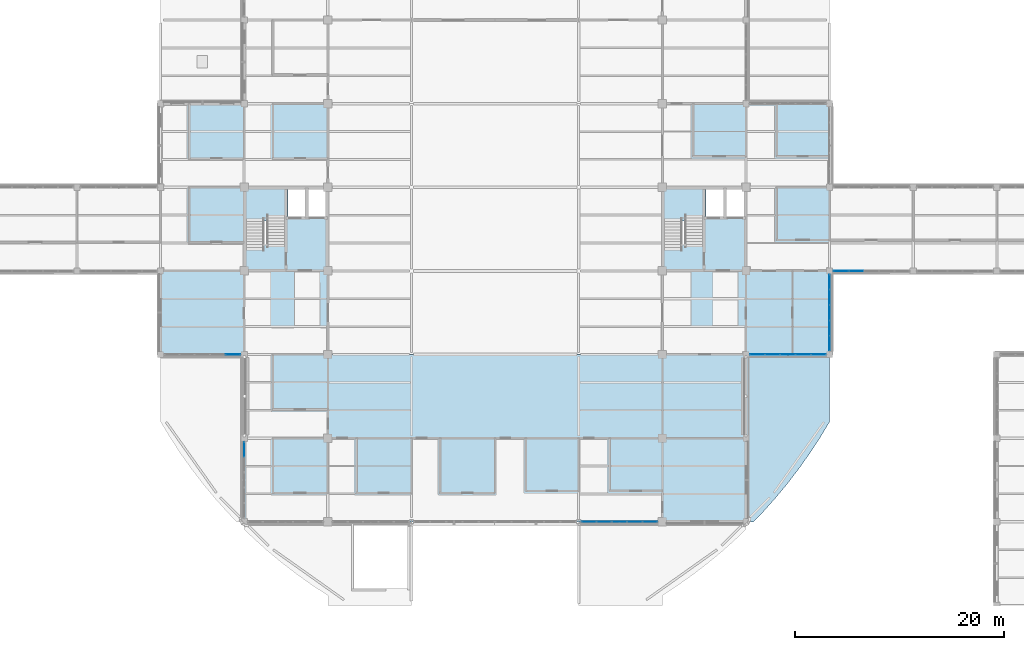
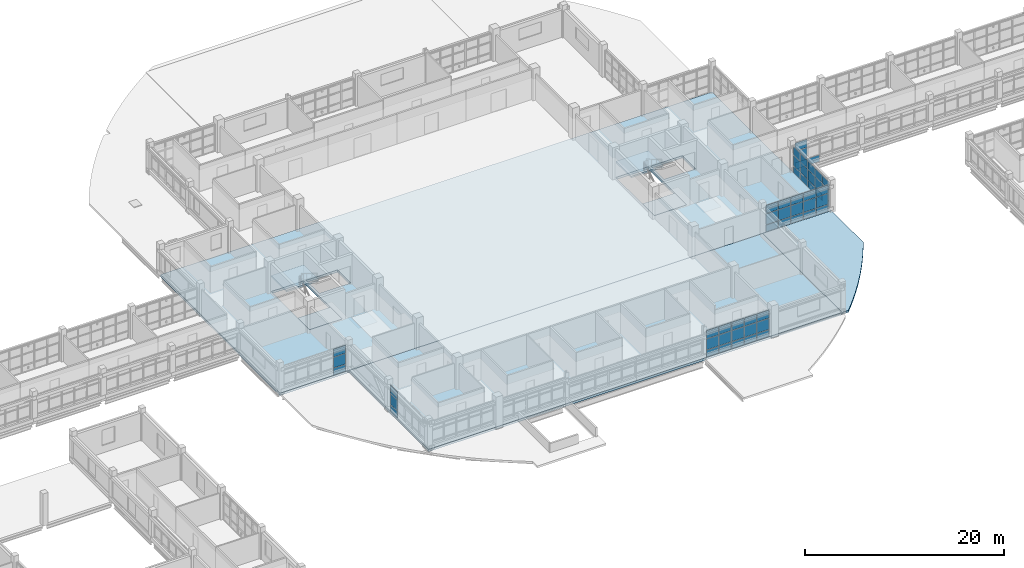
# One storey, part 71 of 126: 55 plates, 7 slabs, 8 elements without a shape of their own.
"""IFC4 building model written with IfcOpenShell, lengths in metres."""

from ifc_helpers import new_model, si_unit, derived_unit, direction, frame, origin, origin_2d, place, context, subcontext, project, spatial, polyline, rectangle, outline, extrude, material, layer, layer_set, type_object, element, aggregate, save


model = new_model("IFC4")

# Units and contexts
model_context = context("Model", 3, precision=1e-05, world=origin(), true_north=direction((0.0, 1.0)))
body_context = subcontext(model_context, "Body", "Model", "MODEL_VIEW")
ifc_project = project(units=[si_unit("LENGTHUNIT", "METRE"), si_unit("AREAUNIT", "SQUARE_METRE"), si_unit("VOLUMEUNIT", "CUBIC_METRE"), si_unit("PLANEANGLEUNIT", "RADIAN"), si_unit("MASSUNIT", "GRAM", prefix="KILO"), derived_unit("THERMALTRANSMITTANCEUNIT", [(si_unit("MASSUNIT", "GRAM", prefix="KILO"), 1), (si_unit("TIMEUNIT", "SECOND"), -3), (si_unit("THERMODYNAMICTEMPERATUREUNIT", "KELVIN"), -1)])], contexts=[model_context])

# Site, building, storey
site_placement = place(None, origin())
site = spatial("IfcSite", under=ifc_project, at=site_placement, CompositionType="ELEMENT")
building_placement = place(site_placement, origin())
building = spatial("IfcBuilding", under=site, at=building_placement, Name="Veyamyaing Civic Hall", CompositionType="ELEMENT")
storey_placement = place(building_placement, frame((0.0, 0.0, 9.89990234375)))
storey = spatial("IfcBuildingStorey", under=building, at=storey_placement, Name="L02", CompositionType="ELEMENT", Elevation=9.89990234375)

# Curtain wall, plates
ifc_material_1 = material(Name="Anodised aluminium 6063-T6", Category="aluminium")
ifc_layer_1 = layer(ifc_material_1, 0.159912109375, Name="Anodised aluminium 6063-T6")
ifc_layer_set_1 = layer_set([ifc_layer_1], Name="Anodised aluminium 6063-T6")
curtain_wall_type_1 = type_object("IfcCurtainWallType", Name="CW-03", PredefinedType="NOTDEFINED", material=ifc_layer_set_1)
curtain_wall_1_placement = place(storey_placement, origin())
curtain_wall_1 = element("IfcCurtainWall", 1, at=curtain_wall_1_placement, inside=storey, type_object=curtain_wall_type_1, Name="Unitized curtain wall CW-03 L02 S 13.4", PredefinedType="NOTDEFINED")
ifc_material_2 = material(Name="Low-E insulated glass", Category="glass")
ifc_layer_2 = layer(ifc_material_2, 0.028076171875, Name="Low-E insulated glass")
ifc_layer_set_2 = layer_set([ifc_layer_2], Name="Low-E insulated glass")
plate_type_1 = type_object("IfcPlateType", Name="CWP-01", PredefinedType="CURTAIN_PANEL", material=ifc_layer_set_2)
plate_1_placement = place(storey_placement, frame((96.96728515625, 24.0, 0.06494140625), z_axis=(0.0, 0.0, 1.0), x_axis=(1.0, 0.0, 0.0)))
plate_1 = element("IfcPlate", 2, at=plate_1_placement, type_object=plate_type_1, Name="CW-03 panel 1.1", PredefinedType="CURTAIN_PANEL", context=body_context, shape_type="SweptSolid", body=[
    extrude(rectangle(XDim=1.373291015625, YDim=0.028076171875, at=origin_2d()), origin(), (0.0, 0.0, 1.0), 0.802490234375),
])
plate_2_placement = place(storey_placement, frame((96.96728515625, 24.0, 0.9326171875), z_axis=(0.0, 0.0, 1.0), x_axis=(1.0, 0.0, 0.0)))
plate_2 = element("IfcPlate", 3, at=plate_2_placement, type_object=plate_type_1, Name="CW-03 panel 1.2", PredefinedType="CURTAIN_PANEL", context=body_context, shape_type="SweptSolid", body=[
    extrude(rectangle(XDim=1.373291015625, YDim=0.028076171875, at=origin_2d()), origin(), (0.0, 0.0, 1.0), 1.308837890625),
])
plate_3_placement = place(storey_placement, frame((96.96728515625, 24.0, 2.306396484375), z_axis=(0.0, 0.0, 1.0), x_axis=(1.0, 0.0, 0.0)))
plate_3 = element("IfcPlate", 4, at=plate_3_placement, type_object=plate_type_1, Name="CW-03 panel 1.3", PredefinedType="CURTAIN_PANEL", context=body_context, shape_type="SweptSolid", body=[
    extrude(rectangle(XDim=1.373291015625, YDim=0.028076171875, at=origin_2d()), origin(), (0.0, 0.0, 1.0), 0.97265625),
])
plate_4_placement = place(storey_placement, frame((98.421875, 24.0, 0.06494140625), z_axis=(0.0, 0.0, 1.0), x_axis=(1.0, 0.0, 0.0)))
plate_4 = element("IfcPlate", 5, at=plate_4_placement, type_object=plate_type_1, Name="CW-03 panel 2.1", PredefinedType="CURTAIN_PANEL", context=body_context, shape_type="SweptSolid", body=[
    extrude(rectangle(XDim=1.406005859375, YDim=0.028076171875, at=origin_2d()), origin(), (0.0, 0.0, 1.0), 0.802490234375),
])
plate_5_placement = place(storey_placement, frame((98.421875, 24.0, 0.9326171875), z_axis=(0.0, 0.0, 1.0), x_axis=(1.0, 0.0, 0.0)))
plate_5 = element("IfcPlate", 6, at=plate_5_placement, type_object=plate_type_1, Name="CW-03 panel 2.2", PredefinedType="CURTAIN_PANEL", context=body_context, shape_type="SweptSolid", body=[
    extrude(rectangle(XDim=1.406005859375, YDim=0.028076171875, at=origin_2d()), origin(), (0.0, 0.0, 1.0), 1.308837890625),
])
plate_6_placement = place(storey_placement, frame((98.421875, 24.0, 2.306396484375), z_axis=(0.0, 0.0, 1.0), x_axis=(1.0, 0.0, 0.0)))
plate_6 = element("IfcPlate", 7, at=plate_6_placement, type_object=plate_type_1, Name="CW-03 panel 2.3", PredefinedType="CURTAIN_PANEL", context=body_context, shape_type="SweptSolid", body=[
    extrude(rectangle(XDim=1.406005859375, YDim=0.028076171875, at=origin_2d()), origin(), (0.0, 0.0, 1.0), 0.97265625),
])
plate_7_placement = place(storey_placement, frame((99.892822265625, 24.0, 0.06494140625), z_axis=(0.0, 0.0, 1.0), x_axis=(1.0, 0.0, 0.0)))
plate_7 = element("IfcPlate", 8, at=plate_7_placement, type_object=plate_type_1, Name="CW-03 panel 3.1", PredefinedType="CURTAIN_PANEL", context=body_context, shape_type="SweptSolid", body=[
    extrude(rectangle(XDim=1.406005859375, YDim=0.028076171875, at=origin_2d()), origin(), (0.0, 0.0, 1.0), 0.802490234375),
])
plate_8_placement = place(storey_placement, frame((99.892822265625, 24.0, 0.9326171875), z_axis=(0.0, 0.0, 1.0), x_axis=(1.0, 0.0, 0.0)))
plate_8 = element("IfcPlate", 9, at=plate_8_placement, type_object=plate_type_1, Name="CW-03 panel 3.2", PredefinedType="CURTAIN_PANEL", context=body_context, shape_type="SweptSolid", body=[
    extrude(rectangle(XDim=1.406005859375, YDim=0.028076171875, at=origin_2d()), origin(), (0.0, 0.0, 1.0), 1.308837890625),
])
plate_9_placement = place(storey_placement, frame((99.892822265625, 24.0, 2.306396484375), z_axis=(0.0, 0.0, 1.0), x_axis=(1.0, 0.0, 0.0)))
plate_9 = element("IfcPlate", 10, at=plate_9_placement, type_object=plate_type_1, Name="CW-03 panel 3.3", PredefinedType="CURTAIN_PANEL", context=body_context, shape_type="SweptSolid", body=[
    extrude(rectangle(XDim=1.406005859375, YDim=0.028076171875, at=origin_2d()), origin(), (0.0, 0.0, 1.0), 0.97265625),
])
plate_10_placement = place(storey_placement, frame((101.36376953125, 24.0, 0.06494140625), z_axis=(0.0, 0.0, 1.0), x_axis=(1.0, 0.0, 0.0)))
plate_10 = element("IfcPlate", 11, at=plate_10_placement, type_object=plate_type_1, Name="CW-03 panel 4.1", PredefinedType="CURTAIN_PANEL", context=body_context, shape_type="SweptSolid", body=[
    extrude(rectangle(XDim=1.406005859375, YDim=0.028076171875, at=origin_2d()), origin(), (0.0, 0.0, 1.0), 0.802490234375),
])
plate_11_placement = place(storey_placement, frame((101.36376953125, 24.0, 0.9326171875), z_axis=(0.0, 0.0, 1.0), x_axis=(1.0, 0.0, 0.0)))
plate_11 = element("IfcPlate", 12, at=plate_11_placement, type_object=plate_type_1, Name="CW-03 panel 4.2", PredefinedType="CURTAIN_PANEL", context=body_context, shape_type="SweptSolid", body=[
    extrude(rectangle(XDim=1.406005859375, YDim=0.028076171875, at=origin_2d()), origin(), (0.0, 0.0, 1.0), 1.308837890625),
])
plate_12_placement = place(storey_placement, frame((101.36376953125, 24.0, 2.306396484375), z_axis=(0.0, 0.0, 1.0), x_axis=(1.0, 0.0, 0.0)))
plate_12 = element("IfcPlate", 13, at=plate_12_placement, type_object=plate_type_1, Name="CW-03 panel 4.3", PredefinedType="CURTAIN_PANEL", context=body_context, shape_type="SweptSolid", body=[
    extrude(rectangle(XDim=1.406005859375, YDim=0.028076171875, at=origin_2d()), origin(), (0.0, 0.0, 1.0), 0.97265625),
])
plate_13_placement = place(storey_placement, frame((102.818359375, 24.0, 0.06494140625), z_axis=(0.0, 0.0, 1.0), x_axis=(1.0, 0.0, 0.0)))
plate_13 = element("IfcPlate", 14, at=plate_13_placement, type_object=plate_type_1, Name="CW-03 panel 5.1", PredefinedType="CURTAIN_PANEL", context=body_context, shape_type="SweptSolid", body=[
    extrude(rectangle(XDim=1.373291015625, YDim=0.028076171875, at=origin_2d()), origin(), (0.0, 0.0, 1.0), 0.802490234375),
])
plate_14_placement = place(storey_placement, frame((102.818359375, 24.0, 0.9326171875), z_axis=(0.0, 0.0, 1.0), x_axis=(1.0, 0.0, 0.0)))
plate_14 = element("IfcPlate", 15, at=plate_14_placement, type_object=plate_type_1, Name="CW-03 panel 5.2", PredefinedType="CURTAIN_PANEL", context=body_context, shape_type="SweptSolid", body=[
    extrude(rectangle(XDim=1.373291015625, YDim=0.028076171875, at=origin_2d()), origin(), (0.0, 0.0, 1.0), 1.308837890625),
])
plate_15_placement = place(storey_placement, frame((102.818359375, 24.0, 2.306396484375), z_axis=(0.0, 0.0, 1.0), x_axis=(1.0, 0.0, 0.0)))
plate_15 = element("IfcPlate", 16, at=plate_15_placement, type_object=plate_type_1, Name="CW-03 panel 5.3", PredefinedType="CURTAIN_PANEL", context=body_context, shape_type="SweptSolid", body=[
    extrude(rectangle(XDim=1.373291015625, YDim=0.028076171875, at=origin_2d()), origin(), (0.0, 0.0, 1.0), 0.97265625),
])
aggregate(curtain_wall_1, [plate_1, plate_2, plate_3, plate_4, plate_5, plate_6, plate_7, plate_8, plate_9, plate_10, plate_11, plate_12, plate_13, plate_14, plate_15])

ifc_layer_3 = layer(ifc_material_1, 0.139892578125, Name="Anodised aluminium 6063-T6")
ifc_layer_set_3 = layer_set([ifc_layer_3], Name="Anodised aluminium 6063-T6")
curtain_wall_type_2 = type_object("IfcCurtainWallType", Name="CW-04", PredefinedType="NOTDEFINED", material=ifc_layer_set_3)
curtain_wall_2_placement = place(storey_placement, origin())
curtain_wall_2 = element("IfcCurtainWall", 17, at=curtain_wall_2_placement, inside=storey, type_object=curtain_wall_type_2, Name="Unitized curtain wall CW-04 L02 S 16.7", PredefinedType="NOTDEFINED")
plate_16_placement = place(storey_placement, frame((121.0791015625, 48.0, 0.06005859375), z_axis=(0.0, 0.0, 1.0), x_axis=(1.0, 0.0, 0.0)))
plate_16 = element("IfcPlate", 18, at=plate_16_placement, type_object=plate_type_1, Name="CW-04 panel 1.1", PredefinedType="CURTAIN_PANEL", context=body_context, shape_type="SweptSolid", body=[
    extrude(rectangle(XDim=1.3779296875, YDim=0.028076171875, at=origin_2d()), origin(), (0.0, 0.0, 1.0), 0.81005859375),
])
plate_17_placement = place(storey_placement, frame((121.0791015625, 48.0, 0.93017578125), z_axis=(0.0, 0.0, 1.0), x_axis=(1.0, 0.0, 0.0)))
plate_17 = element("IfcPlate", 19, at=plate_17_placement, type_object=plate_type_1, Name="CW-04 panel 1.2", PredefinedType="CURTAIN_PANEL", context=body_context, shape_type="SweptSolid", body=[
    extrude(rectangle(XDim=1.3779296875, YDim=0.028076171875, at=origin_2d()), origin(), (0.0, 0.0, 1.0), 1.31591796875),
])
plate_18_placement = place(storey_placement, frame((121.0791015625, 48.0, 2.30615234375), z_axis=(0.0, 0.0, 1.0), x_axis=(1.0, 0.0, 0.0)))
plate_18 = element("IfcPlate", 20, at=plate_18_placement, type_object=plate_type_1, Name="CW-04 panel 1.3", PredefinedType="CURTAIN_PANEL", context=body_context, shape_type="SweptSolid", body=[
    extrude(rectangle(XDim=1.3779296875, YDim=0.028076171875, at=origin_2d()), origin(), (0.0, 0.0, 1.0), 0.98095703125),
])
plate_19_placement = place(storey_placement, frame((122.531982421875, 48.0, 0.06005859375), z_axis=(0.0, 0.0, 1.0), x_axis=(1.0, 0.0, 0.0)))
plate_19 = element("IfcPlate", 21, at=plate_19_placement, type_object=plate_type_1, Name="CW-04 panel 2.1", PredefinedType="CURTAIN_PANEL", context=body_context, shape_type="SweptSolid", body=[
    extrude(rectangle(XDim=1.407958984375, YDim=0.028076171875, at=origin_2d()), origin(), (0.0, 0.0, 1.0), 0.81005859375),
])
aggregate(curtain_wall_2, [plate_16, plate_17, plate_18, plate_19])

curtain_wall_3_placement = place(storey_placement, origin())
curtain_wall_3 = element("IfcCurtainWall", 22, at=curtain_wall_3_placement, inside=storey, type_object=curtain_wall_type_1, Name="Unitized curtain wall CW-03 L02 W 9.4", PredefinedType="NOTDEFINED")
ifc_layer_4 = layer(ifc_material_2, 0.035888671875, Name="Low-E insulated glass")
ifc_layer_set_4 = layer_set([ifc_layer_4], Name="Low-E insulated glass")
plate_type_2 = type_object("IfcPlateType", Name="CWP-03", PredefinedType="CURTAIN_PANEL", material=ifc_layer_set_4)
plate_20_placement = place(storey_placement, frame((64.0, 30.919677734375, 0.06494140625), z_axis=(0.0, 0.0, 1.0), x_axis=(0.0, 1.0, 0.0)))
plate_20 = element("IfcPlate", 23, at=plate_20_placement, type_object=plate_type_2, Name="CW-03 panel 5.1", PredefinedType="CURTAIN_PANEL", context=body_context, shape_type="SweptSolid", body=[
    extrude(rectangle(XDim=1.37060546875, YDim=0.035888671875, at=origin_2d()), origin(), (0.0, 0.0, 1.0), 0.802490234375),
])
plate_21_placement = place(storey_placement, frame((64.0, 30.919677734375, 0.9326171875), z_axis=(0.0, 0.0, 1.0), x_axis=(0.0, 1.0, 0.0)))
plate_21 = element("IfcPlate", 24, at=plate_21_placement, type_object=plate_type_2, Name="CW-03 panel 5.2", PredefinedType="CURTAIN_PANEL", context=body_context, shape_type="SweptSolid", body=[
    extrude(rectangle(XDim=1.37060546875, YDim=0.035888671875, at=origin_2d()), origin(), (0.0, 0.0, 1.0), 1.308837890625),
])
plate_22_placement = place(storey_placement, frame((64.0, 30.919677734375, 2.306396484375), z_axis=(0.0, 0.0, 1.0), x_axis=(0.0, 1.0, 0.0)))
plate_22 = element("IfcPlate", 25, at=plate_22_placement, type_object=plate_type_2, Name="CW-03 panel 5.3", PredefinedType="CURTAIN_PANEL", context=body_context, shape_type="SweptSolid", body=[
    extrude(rectangle(XDim=1.37060546875, YDim=0.035888671875, at=origin_2d()), origin(), (0.0, 0.0, 1.0), 0.97265625),
])
aggregate(curtain_wall_3, [plate_20, plate_21, plate_22])

curtain_wall_4_placement = place(storey_placement, origin())
curtain_wall_4 = element("IfcCurtainWall", 26, at=curtain_wall_4_placement, inside=storey, type_object=curtain_wall_type_2, Name="Unitized curtain wall CW-04 L02 S 8.6", PredefinedType="NOTDEFINED")
ifc_layer_5 = layer(ifc_material_2, 0.02392578125, Name="Low-E insulated glass")
ifc_layer_set_5 = layer_set([ifc_layer_5], Name="Low-E insulated glass")
plate_type_3 = type_object("IfcPlateType", Name="CWP-04", PredefinedType="CURTAIN_PANEL", material=ifc_layer_set_5)
plate_23_placement = place(storey_placement, frame((62.9208984375, 40.0, 0.06005859375), z_axis=(0.0, 0.0, 1.0), x_axis=(1.0, 0.0, 0.0)))
plate_23 = element("IfcPlate", 27, at=plate_23_placement, type_object=plate_type_3, Name="CW-04 panel 5.1", PredefinedType="CURTAIN_PANEL", context=body_context, shape_type="SweptSolid", body=[
    extrude(rectangle(XDim=1.3779296875, YDim=0.02392578125, at=origin_2d()), origin(), (0.0, 0.0, 1.0), 0.81005859375),
])
plate_24_placement = place(storey_placement, frame((62.9208984375, 40.0, 0.93017578125), z_axis=(0.0, 0.0, 1.0), x_axis=(1.0, 0.0, 0.0)))
plate_24 = element("IfcPlate", 28, at=plate_24_placement, type_object=plate_type_3, Name="CW-04 panel 5.2", PredefinedType="CURTAIN_PANEL", context=body_context, shape_type="SweptSolid", body=[
    extrude(rectangle(XDim=1.3779296875, YDim=0.02392578125, at=origin_2d()), origin(), (0.0, 0.0, 1.0), 1.273193359375),
])
plate_25_placement = place(storey_placement, frame((62.9208984375, 40.0, 2.26318359375), z_axis=(0.0, 0.0, 1.0), x_axis=(1.0, 0.0, 0.0)))
plate_25 = element("IfcPlate", 29, at=plate_25_placement, type_object=plate_type_3, Name="CW-04 panel 5.3", PredefinedType="CURTAIN_PANEL", context=body_context, shape_type="SweptSolid", body=[
    extrude(rectangle(XDim=1.3779296875, YDim=0.02392578125, at=origin_2d()), origin(), (0.0, 0.0, 1.0), 0.9609375),
])
aggregate(curtain_wall_4, [plate_23, plate_24, plate_25])

curtain_wall_5_placement = place(storey_placement, origin())
curtain_wall_5 = element("IfcCurtainWall", 30, at=curtain_wall_5_placement, inside=storey, type_object=curtain_wall_type_2, Name="Unitized curtain wall CW-04 L02 S 15.6", PredefinedType="NOTDEFINED")
ifc_layer_6 = layer(ifc_material_2, 0.0400390625, Name="Low-E insulated glass")
ifc_layer_set_6 = layer_set([ifc_layer_6], Name="Low-E insulated glass")
plate_type_4 = type_object("IfcPlateType", Name="CWP-05", PredefinedType="CURTAIN_PANEL", material=ifc_layer_set_6)
plate_26_placement = place(storey_placement, frame((113.0791015625, 40.0, 0.06005859375), z_axis=(0.0, 0.0, 1.0), x_axis=(1.0, 0.0, 0.0)))
plate_26 = element("IfcPlate", 31, at=plate_26_placement, type_object=plate_type_4, Name="CW-04 panel 1.1", PredefinedType="CURTAIN_PANEL", context=body_context, shape_type="SweptSolid", body=[
    extrude(rectangle(XDim=1.3779296875, YDim=0.0400390625, at=origin_2d()), origin(), (0.0, 0.0, 1.0), 0.81005859375),
])
plate_27_placement = place(storey_placement, frame((113.0791015625, 40.0, 0.93017578125), z_axis=(0.0, 0.0, 1.0), x_axis=(1.0, 0.0, 0.0)))
plate_27 = element("IfcPlate", 32, at=plate_27_placement, type_object=plate_type_4, Name="CW-04 panel 1.2", PredefinedType="CURTAIN_PANEL", context=body_context, shape_type="SweptSolid", body=[
    extrude(rectangle(XDim=1.3779296875, YDim=0.0400390625, at=origin_2d()), origin(), (0.0, 0.0, 1.0), 1.31396484375),
])
plate_28_placement = place(storey_placement, frame((113.0791015625, 40.0, 2.303955078125), z_axis=(0.0, 0.0, 1.0), x_axis=(1.0, 0.0, 0.0)))
plate_28 = element("IfcPlate", 33, at=plate_28_placement, type_object=plate_type_4, Name="CW-04 panel 1.3", PredefinedType="CURTAIN_PANEL", context=body_context, shape_type="SweptSolid", body=[
    extrude(rectangle(XDim=1.3779296875, YDim=0.0400390625, at=origin_2d()), origin(), (0.0, 0.0, 1.0), 0.97998046875),
])
plate_29_placement = place(storey_placement, frame((114.531982421875, 40.0, 0.06005859375), z_axis=(0.0, 0.0, 1.0), x_axis=(1.0, 0.0, 0.0)))
plate_29 = element("IfcPlate", 34, at=plate_29_placement, type_object=plate_type_4, Name="CW-04 panel 2.1", PredefinedType="CURTAIN_PANEL", context=body_context, shape_type="SweptSolid", body=[
    extrude(rectangle(XDim=1.407958984375, YDim=0.0400390625, at=origin_2d()), origin(), (0.0, 0.0, 1.0), 0.81005859375),
])
plate_30_placement = place(storey_placement, frame((114.531982421875, 40.0, 0.93017578125), z_axis=(0.0, 0.0, 1.0), x_axis=(1.0, 0.0, 0.0)))
plate_30 = element("IfcPlate", 35, at=plate_30_placement, type_object=plate_type_4, Name="CW-04 panel 2.2", PredefinedType="CURTAIN_PANEL", context=body_context, shape_type="SweptSolid", body=[
    extrude(rectangle(XDim=1.407958984375, YDim=0.0400390625, at=origin_2d()), origin(), (0.0, 0.0, 1.0), 1.31396484375),
])
plate_31_placement = place(storey_placement, frame((114.531982421875, 40.0, 2.303955078125), z_axis=(0.0, 0.0, 1.0), x_axis=(1.0, 0.0, 0.0)))
plate_31 = element("IfcPlate", 36, at=plate_31_placement, type_object=plate_type_4, Name="CW-04 panel 2.3", PredefinedType="CURTAIN_PANEL", context=body_context, shape_type="SweptSolid", body=[
    extrude(rectangle(XDim=1.407958984375, YDim=0.0400390625, at=origin_2d()), origin(), (0.0, 0.0, 1.0), 0.97998046875),
])
plate_32_placement = place(storey_placement, frame((116.0, 40.0, 0.06005859375), z_axis=(0.0, 0.0, 1.0), x_axis=(1.0, 0.0, 0.0)))
plate_32 = element("IfcPlate", 37, at=plate_32_placement, type_object=plate_type_4, Name="CW-04 panel 3.1", PredefinedType="CURTAIN_PANEL", context=body_context, shape_type="SweptSolid", body=[
    extrude(rectangle(XDim=1.407958984375, YDim=0.0400390625, at=origin_2d()), origin(), (0.0, 0.0, 1.0), 0.81005859375),
])
plate_33_placement = place(storey_placement, frame((116.0, 40.0, 0.93017578125), z_axis=(0.0, 0.0, 1.0), x_axis=(1.0, 0.0, 0.0)))
plate_33 = element("IfcPlate", 38, at=plate_33_placement, type_object=plate_type_4, Name="CW-04 panel 3.2", PredefinedType="CURTAIN_PANEL", context=body_context, shape_type="SweptSolid", body=[
    extrude(rectangle(XDim=1.407958984375, YDim=0.0400390625, at=origin_2d()), origin(), (0.0, 0.0, 1.0), 1.31396484375),
])
plate_34_placement = place(storey_placement, frame((116.0, 40.0, 2.303955078125), z_axis=(0.0, 0.0, 1.0), x_axis=(1.0, 0.0, 0.0)))
plate_34 = element("IfcPlate", 39, at=plate_34_placement, type_object=plate_type_4, Name="CW-04 panel 3.3", PredefinedType="CURTAIN_PANEL", context=body_context, shape_type="SweptSolid", body=[
    extrude(rectangle(XDim=1.407958984375, YDim=0.0400390625, at=origin_2d()), origin(), (0.0, 0.0, 1.0), 0.97998046875),
])
plate_35_placement = place(storey_placement, frame((117.468017578125, 40.0, 0.06005859375), z_axis=(0.0, 0.0, 1.0), x_axis=(1.0, 0.0, 0.0)))
plate_35 = element("IfcPlate", 40, at=plate_35_placement, type_object=plate_type_4, Name="CW-04 panel 4.1", PredefinedType="CURTAIN_PANEL", context=body_context, shape_type="SweptSolid", body=[
    extrude(rectangle(XDim=1.407958984375, YDim=0.0400390625, at=origin_2d()), origin(), (0.0, 0.0, 1.0), 0.81005859375),
])
plate_36_placement = place(storey_placement, frame((117.468017578125, 40.0, 0.93017578125), z_axis=(0.0, 0.0, 1.0), x_axis=(1.0, 0.0, 0.0)))
plate_36 = element("IfcPlate", 41, at=plate_36_placement, type_object=plate_type_4, Name="CW-04 panel 4.2", PredefinedType="CURTAIN_PANEL", context=body_context, shape_type="SweptSolid", body=[
    extrude(rectangle(XDim=1.407958984375, YDim=0.0400390625, at=origin_2d()), origin(), (0.0, 0.0, 1.0), 1.31396484375),
])
plate_37_placement = place(storey_placement, frame((117.468017578125, 40.0, 2.303955078125), z_axis=(0.0, 0.0, 1.0), x_axis=(1.0, 0.0, 0.0)))
plate_37 = element("IfcPlate", 42, at=plate_37_placement, type_object=plate_type_4, Name="CW-04 panel 4.3", PredefinedType="CURTAIN_PANEL", context=body_context, shape_type="SweptSolid", body=[
    extrude(rectangle(XDim=1.407958984375, YDim=0.0400390625, at=origin_2d()), origin(), (0.0, 0.0, 1.0), 0.97998046875),
])
plate_38_placement = place(storey_placement, frame((118.9208984375, 40.0, 0.06005859375), z_axis=(0.0, 0.0, 1.0), x_axis=(1.0, 0.0, 0.0)))
plate_38 = element("IfcPlate", 43, at=plate_38_placement, type_object=plate_type_4, Name="CW-04 panel 5.1", PredefinedType="CURTAIN_PANEL", context=body_context, shape_type="SweptSolid", body=[
    extrude(rectangle(XDim=1.3779296875, YDim=0.0400390625, at=origin_2d()), origin(), (0.0, 0.0, 1.0), 0.81005859375),
])
plate_39_placement = place(storey_placement, frame((118.9208984375, 40.0, 0.93017578125), z_axis=(0.0, 0.0, 1.0), x_axis=(1.0, 0.0, 0.0)))
plate_39 = element("IfcPlate", 44, at=plate_39_placement, type_object=plate_type_4, Name="CW-04 panel 5.2", PredefinedType="CURTAIN_PANEL", context=body_context, shape_type="SweptSolid", body=[
    extrude(rectangle(XDim=1.3779296875, YDim=0.0400390625, at=origin_2d()), origin(), (0.0, 0.0, 1.0), 1.31396484375),
])
plate_40_placement = place(storey_placement, frame((118.9208984375, 40.0, 2.303955078125), z_axis=(0.0, 0.0, 1.0), x_axis=(1.0, 0.0, 0.0)))
plate_40 = element("IfcPlate", 45, at=plate_40_placement, type_object=plate_type_4, Name="CW-04 panel 5.3", PredefinedType="CURTAIN_PANEL", context=body_context, shape_type="SweptSolid", body=[
    extrude(rectangle(XDim=1.3779296875, YDim=0.0400390625, at=origin_2d()), origin(), (0.0, 0.0, 1.0), 0.97998046875),
])
aggregate(curtain_wall_5, [plate_26, plate_27, plate_28, plate_29, plate_30, plate_31, plate_32, plate_33, plate_34, plate_35, plate_36, plate_37, plate_38, plate_39, plate_40])

curtain_wall_6_placement = place(storey_placement, origin())
curtain_wall_6 = element("IfcCurtainWall", 46, at=curtain_wall_6_placement, inside=storey, type_object=curtain_wall_type_2, Name="Unitized curtain wall CW-04 L02 E 15.6", PredefinedType="NOTDEFINED")
plate_41_placement = place(storey_placement, frame((120.0, 41.0791015625, 0.06005859375), z_axis=(0.0, 0.0, 1.0), x_axis=(0.0, 1.0, 0.0)))
plate_41 = element("IfcPlate", 47, at=plate_41_placement, type_object=plate_type_4, Name="CW-04 panel 1.1", PredefinedType="CURTAIN_PANEL", context=body_context, shape_type="SweptSolid", body=[
    extrude(rectangle(XDim=1.3779296875, YDim=0.0400390625, at=origin_2d()), origin(), (0.0, 0.0, 1.0), 0.81005859375),
])
plate_42_placement = place(storey_placement, frame((120.0, 41.0791015625, 0.93017578125), z_axis=(0.0, 0.0, 1.0), x_axis=(0.0, 1.0, 0.0)))
plate_42 = element("IfcPlate", 48, at=plate_42_placement, type_object=plate_type_4, Name="CW-04 panel 1.2", PredefinedType="CURTAIN_PANEL", context=body_context, shape_type="SweptSolid", body=[
    extrude(rectangle(XDim=1.3779296875, YDim=0.0400390625, at=origin_2d()), origin(), (0.0, 0.0, 1.0), 1.273193359375),
])
plate_43_placement = place(storey_placement, frame((120.0, 41.0791015625, 2.26318359375), z_axis=(0.0, 0.0, 1.0), x_axis=(0.0, 1.0, 0.0)))
plate_43 = element("IfcPlate", 49, at=plate_43_placement, type_object=plate_type_4, Name="CW-04 panel 1.3", PredefinedType="CURTAIN_PANEL", context=body_context, shape_type="SweptSolid", body=[
    extrude(rectangle(XDim=1.3779296875, YDim=0.0400390625, at=origin_2d()), origin(), (0.0, 0.0, 1.0), 0.9609375),
])
plate_44_placement = place(storey_placement, frame((120.0, 42.531982421875, 0.06005859375), z_axis=(0.0, 0.0, 1.0), x_axis=(0.0, 1.0, 0.0)))
plate_44 = element("IfcPlate", 50, at=plate_44_placement, type_object=plate_type_4, Name="CW-04 panel 2.1", PredefinedType="CURTAIN_PANEL", context=body_context, shape_type="SweptSolid", body=[
    extrude(rectangle(XDim=1.407958984375, YDim=0.0400390625, at=origin_2d()), origin(), (0.0, 0.0, 1.0), 0.81005859375),
])
plate_45_placement = place(storey_placement, frame((120.0, 42.531982421875, 0.93017578125), z_axis=(0.0, 0.0, 1.0), x_axis=(0.0, 1.0, 0.0)))
plate_45 = element("IfcPlate", 51, at=plate_45_placement, type_object=plate_type_4, Name="CW-04 panel 2.2", PredefinedType="CURTAIN_PANEL", context=body_context, shape_type="SweptSolid", body=[
    extrude(rectangle(XDim=1.407958984375, YDim=0.0400390625, at=origin_2d()), origin(), (0.0, 0.0, 1.0), 1.273193359375),
])
plate_46_placement = place(storey_placement, frame((120.0, 42.531982421875, 2.26318359375), z_axis=(0.0, 0.0, 1.0), x_axis=(0.0, 1.0, 0.0)))
plate_46 = element("IfcPlate", 52, at=plate_46_placement, type_object=plate_type_4, Name="CW-04 panel 2.3", PredefinedType="CURTAIN_PANEL", context=body_context, shape_type="SweptSolid", body=[
    extrude(rectangle(XDim=1.407958984375, YDim=0.0400390625, at=origin_2d()), origin(), (0.0, 0.0, 1.0), 0.9609375),
])
plate_47_placement = place(storey_placement, frame((120.0, 44.0, 0.06005859375), z_axis=(0.0, 0.0, 1.0), x_axis=(0.0, 1.0, 0.0)))
plate_47 = element("IfcPlate", 53, at=plate_47_placement, type_object=plate_type_4, Name="CW-04 panel 3.1", PredefinedType="CURTAIN_PANEL", context=body_context, shape_type="SweptSolid", body=[
    extrude(rectangle(XDim=1.407958984375, YDim=0.0400390625, at=origin_2d()), origin(), (0.0, 0.0, 1.0), 0.81005859375),
])
plate_48_placement = place(storey_placement, frame((120.0, 44.0, 0.93017578125), z_axis=(0.0, 0.0, 1.0), x_axis=(0.0, 1.0, 0.0)))
plate_48 = element("IfcPlate", 54, at=plate_48_placement, type_object=plate_type_4, Name="CW-04 panel 3.2", PredefinedType="CURTAIN_PANEL", context=body_context, shape_type="SweptSolid", body=[
    extrude(rectangle(XDim=1.407958984375, YDim=0.0400390625, at=origin_2d()), origin(), (0.0, 0.0, 1.0), 1.273193359375),
])
plate_49_placement = place(storey_placement, frame((120.0, 44.0, 2.26318359375), z_axis=(0.0, 0.0, 1.0), x_axis=(0.0, 1.0, 0.0)))
plate_49 = element("IfcPlate", 55, at=plate_49_placement, type_object=plate_type_4, Name="CW-04 panel 3.3", PredefinedType="CURTAIN_PANEL", context=body_context, shape_type="SweptSolid", body=[
    extrude(rectangle(XDim=1.407958984375, YDim=0.0400390625, at=origin_2d()), origin(), (0.0, 0.0, 1.0), 0.9609375),
])
plate_50_placement = place(storey_placement, frame((120.0, 45.468017578125, 0.06005859375), z_axis=(0.0, 0.0, 1.0), x_axis=(0.0, 1.0, 0.0)))
plate_50 = element("IfcPlate", 56, at=plate_50_placement, type_object=plate_type_4, Name="CW-04 panel 4.1", PredefinedType="CURTAIN_PANEL", context=body_context, shape_type="SweptSolid", body=[
    extrude(rectangle(XDim=1.407958984375, YDim=0.0400390625, at=origin_2d()), origin(), (0.0, 0.0, 1.0), 0.81005859375),
])
plate_51_placement = place(storey_placement, frame((120.0, 45.468017578125, 0.93017578125), z_axis=(0.0, 0.0, 1.0), x_axis=(0.0, 1.0, 0.0)))
plate_51 = element("IfcPlate", 57, at=plate_51_placement, type_object=plate_type_4, Name="CW-04 panel 4.2", PredefinedType="CURTAIN_PANEL", context=body_context, shape_type="SweptSolid", body=[
    extrude(rectangle(XDim=1.407958984375, YDim=0.0400390625, at=origin_2d()), origin(), (0.0, 0.0, 1.0), 1.273193359375),
])
plate_52_placement = place(storey_placement, frame((120.0, 45.468017578125, 2.26318359375), z_axis=(0.0, 0.0, 1.0), x_axis=(0.0, 1.0, 0.0)))
plate_52 = element("IfcPlate", 58, at=plate_52_placement, type_object=plate_type_4, Name="CW-04 panel 4.3", PredefinedType="CURTAIN_PANEL", context=body_context, shape_type="SweptSolid", body=[
    extrude(rectangle(XDim=1.407958984375, YDim=0.0400390625, at=origin_2d()), origin(), (0.0, 0.0, 1.0), 0.9609375),
])
plate_53_placement = place(storey_placement, frame((120.0, 46.9208984375, 0.06005859375), z_axis=(0.0, 0.0, 1.0), x_axis=(0.0, 1.0, 0.0)))
plate_53 = element("IfcPlate", 59, at=plate_53_placement, type_object=plate_type_4, Name="CW-04 panel 5.1", PredefinedType="CURTAIN_PANEL", context=body_context, shape_type="SweptSolid", body=[
    extrude(rectangle(XDim=1.3779296875, YDim=0.0400390625, at=origin_2d()), origin(), (0.0, 0.0, 1.0), 0.81005859375),
])
plate_54_placement = place(storey_placement, frame((120.0, 46.9208984375, 0.93017578125), z_axis=(0.0, 0.0, 1.0), x_axis=(0.0, 1.0, 0.0)))
plate_54 = element("IfcPlate", 60, at=plate_54_placement, type_object=plate_type_4, Name="CW-04 panel 5.2", PredefinedType="CURTAIN_PANEL", context=body_context, shape_type="SweptSolid", body=[
    extrude(rectangle(XDim=1.3779296875, YDim=0.0400390625, at=origin_2d()), origin(), (0.0, 0.0, 1.0), 1.273193359375),
])
plate_55_placement = place(storey_placement, frame((120.0, 46.9208984375, 2.26318359375), z_axis=(0.0, 0.0, 1.0), x_axis=(0.0, 1.0, 0.0)))
plate_55 = element("IfcPlate", 61, at=plate_55_placement, type_object=plate_type_4, Name="CW-04 panel 5.3", PredefinedType="CURTAIN_PANEL", context=body_context, shape_type="SweptSolid", body=[
    extrude(rectangle(XDim=1.3779296875, YDim=0.0400390625, at=origin_2d()), origin(), (0.0, 0.0, 1.0), 0.9609375),
])
aggregate(curtain_wall_6, [plate_41, plate_42, plate_43, plate_44, plate_45, plate_46, plate_47, plate_48, plate_49, plate_50, plate_51, plate_52, plate_53, plate_54, plate_55])

# Slabs
ifc_material_3 = material(Name="Concrete C40/50", Category="concrete")
ifc_layer_7 = layer(ifc_material_3, 0.284912109375, Name="Concrete C40/50")
ifc_layer_set_7 = layer_set([ifc_layer_7], Name="Concrete C40/50")
slab_type_1 = type_object("IfcSlabType", Name="SL-04", PredefinedType="FLOOR", material=ifc_layer_set_7)
slab_1_placement = place(storey_placement, frame((0.0, 0.0, -0.284912109375)))
element("IfcSlab", 62, at=slab_1_placement, inside=storey, type_object=slab_type_1, Name="Floor slab SL-04 L02 V1C.1", PredefinedType="FLOOR", context=body_context, shape_type="SweptSolid", body=[
    extrude(outline(polyline([(56.0, 64.0), (120.0, 64.0), (120.0, 40.0), (56.0, 40.0), (56.0, 64.0)]), holes=[polyline([(67.909912109375, 55.860107421875), (64.139892578125, 55.860107421875), (64.139892578125, 48.139892578125), (67.909912109375, 48.139892578125), (67.909912109375, 55.860107421875)]), polyline([(71.820068359375, 55.820068359375), (68.179931640625, 55.820068359375), (68.179931640625, 53.179931640625), (71.820068359375, 53.179931640625), (71.820068359375, 55.820068359375)]), polyline([(107.909912109375, 55.860107421875), (104.139892578125, 55.860107421875), (104.139892578125, 48.139892578125), (107.909912109375, 48.139892578125), (107.909912109375, 55.860107421875)]), polyline([(111.820068359375, 55.820068359375), (108.179931640625, 55.820068359375), (108.179931640625, 53.179931640625), (111.820068359375, 53.179931640625), (111.820068359375, 55.820068359375)])]), origin(), (0.0, 0.0, 1.0), 0.284912109375),
])
slab_2_placement = place(storey_placement, frame((0.0, 0.0, -0.284912109375)))
element("IfcSlab", 63, at=slab_2_placement, inside=storey, type_object=slab_type_1, Name="Floor slab SL-04 L02 V1S.1", PredefinedType="FLOOR", context=body_context, shape_type="SweptSolid", body=[
    extrude(outline(polyline([(64.0, 40.0), (112.0, 40.0), (112.0, 24.0), (64.0, 24.0), (64.0, 40.0)])), origin(), (0.0, 0.0, 1.0), 0.284912109375),
])
ifc_layer_8 = layer(ifc_material_3, 0.239990234375, Name="Concrete C40/50")
ifc_layer_set_8 = layer_set([ifc_layer_8], Name="Concrete C40/50")
slab_type_2 = type_object("IfcSlabType", Name="SL-15", PredefinedType="ROOF", material=ifc_layer_set_8)
slab_3_placement = place(storey_placement, frame((0.0, 0.0, -0.239990234375)))
element("IfcSlab", 64, at=slab_3_placement, inside=storey, type_object=slab_type_2, Name="Roof slab SL-15 L02 V1S.4", PredefinedType="ROOF", context=body_context, shape_type="SweptSolid", body=[
    extrude(outline(polyline([(120.0, 33.569091796875), (119.073486328125, 32.03173828125), (118.090087890625, 30.52978515625), (117.051513671875, 29.06591796875), (115.958740234375, 27.6416015625), (114.8134765625, 26.259521484375), (113.6171875, 24.9208984375), (112.730224609375, 24.0), (112.0, 24.0), (112.0, 40.0), (120.0, 40.0), (120.0, 33.569091796875)])), origin(), (0.0, 0.0, 1.0), 0.239990234375),
])
ifc_layer_9 = layer(ifc_material_3, 0.199951171875, Name="Concrete C40/50")
ifc_layer_set_9 = layer_set([ifc_layer_9], Name="Concrete C40/50")
slab_type_3 = type_object("IfcSlabType", Name="SL-16", PredefinedType="FLOOR", material=ifc_layer_set_9)
slab_4_placement = place(storey_placement, frame((0.0, 0.0, -0.199951171875)))
element("IfcSlab", 65, at=slab_4_placement, inside=storey, type_object=slab_type_3, Name="Stair floor landing slab SL-16 ST-05 L02", PredefinedType="FLOOR", context=body_context, shape_type="SweptSolid", body=[
    extrude(outline(polyline([(64.139892578125, 48.139892578125), (67.909912109375, 48.139892578125), (67.909912109375, 50.52001953125), (64.139892578125, 50.52001953125), (64.139892578125, 48.139892578125)])), origin(), (0.0, 0.0, 1.0), 0.199951171875),
])
slab_5_placement = place(storey_placement, frame((0.0, 0.0, -0.199951171875)))
element("IfcSlab", 66, at=slab_5_placement, inside=storey, type_object=slab_type_3, Name="Stair floor landing slab SL-16 ST-06 L02", PredefinedType="FLOOR", context=body_context, shape_type="SweptSolid", body=[
    extrude(outline(polyline([(104.139892578125, 48.139892578125), (107.909912109375, 48.139892578125), (107.909912109375, 50.52001953125), (104.139892578125, 50.52001953125), (104.139892578125, 48.139892578125)])), origin(), (0.0, 0.0, 1.0), 0.199951171875),
])

# Stair, slab
stair_type = type_object("IfcStairType", Name="ST-D", PredefinedType="HALF_TURN_STAIR", material=ifc_material_3)
stair_1_placement = place(storey_placement, origin())
stair_1 = element("IfcStair", 67, at=stair_1_placement, inside=storey, type_object=stair_type, Name="Protected exit stair ST-05 L02", PredefinedType="HALF_TURN_STAIR")
ifc_layer_10 = layer(ifc_material_3, 0.195068359375, Name="Concrete C40/50")
ifc_layer_set_10 = layer_set([ifc_layer_10], Name="Concrete C40/50")
slab_type_4 = type_object("IfcSlabType", Name="SL-LND", PredefinedType="LANDING", material=ifc_layer_set_10)
slab_6_placement = place(storey_placement, frame((0.0, 0.0, 1.78515625)))
slab_6 = element("IfcSlab", 68, at=slab_6_placement, type_object=slab_type_4, Name="ST-05 landing 1", PredefinedType="LANDING", context=body_context, shape_type="SweptSolid", body=[
    extrude(outline(polyline([(64.139892578125, 52.7900390625), (67.909912109375, 52.7900390625), (67.909912109375, 55.860107421875), (64.139892578125, 55.860107421875), (64.139892578125, 52.7900390625)])), origin(), (0.0, 0.0, 1.0), 0.19482421875),
])
aggregate(stair_1, [slab_6])

stair_2_placement = place(storey_placement, origin())
stair_2 = element("IfcStair", 69, at=stair_2_placement, inside=storey, type_object=stair_type, Name="Protected exit stair ST-06 L02", PredefinedType="HALF_TURN_STAIR")
slab_7_placement = place(storey_placement, frame((0.0, 0.0, 1.78515625)))
slab_7 = element("IfcSlab", 70, at=slab_7_placement, type_object=slab_type_4, Name="ST-06 landing 1", PredefinedType="LANDING", context=body_context, shape_type="SweptSolid", body=[
    extrude(outline(polyline([(104.139892578125, 52.7900390625), (107.909912109375, 52.7900390625), (107.909912109375, 55.860107421875), (104.139892578125, 55.860107421875), (104.139892578125, 52.7900390625)])), origin(), (0.0, 0.0, 1.0), 0.19482421875),
])
aggregate(stair_2, [slab_7])

save(model, "model.ifc")
